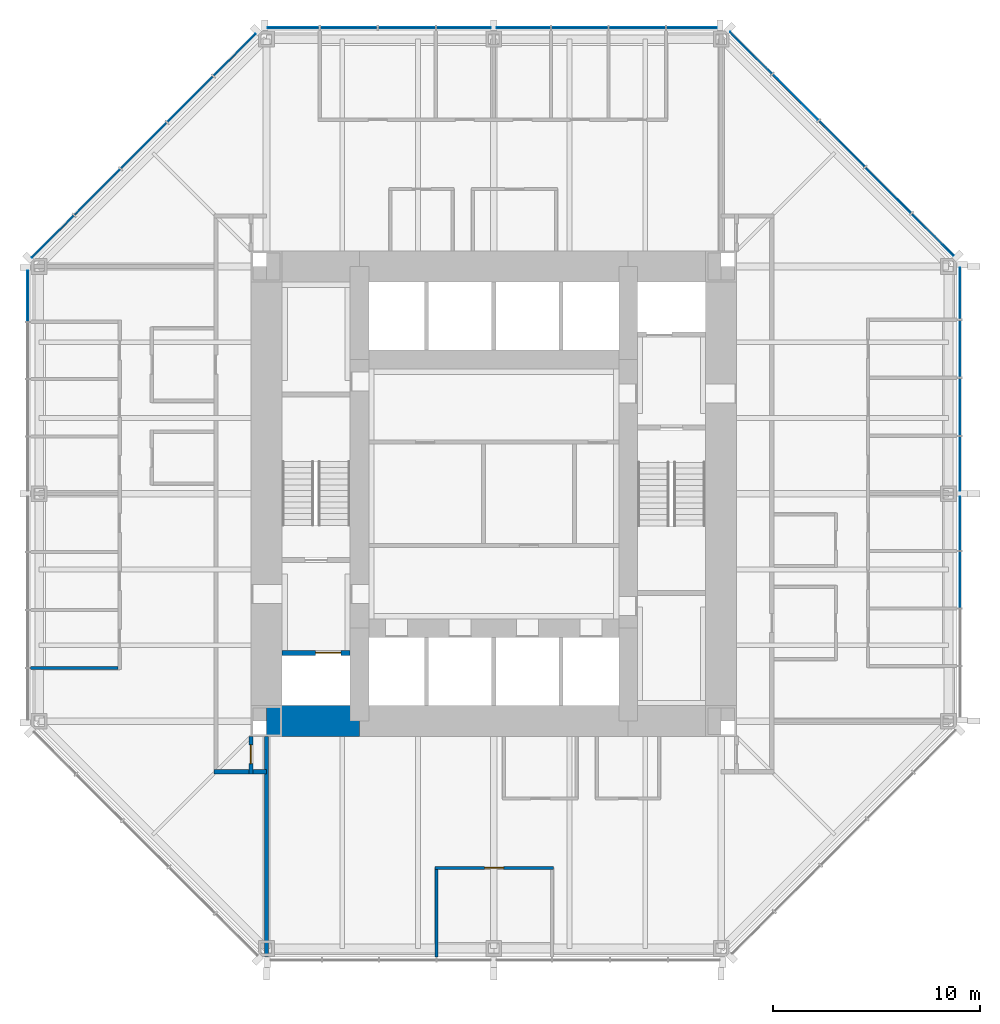
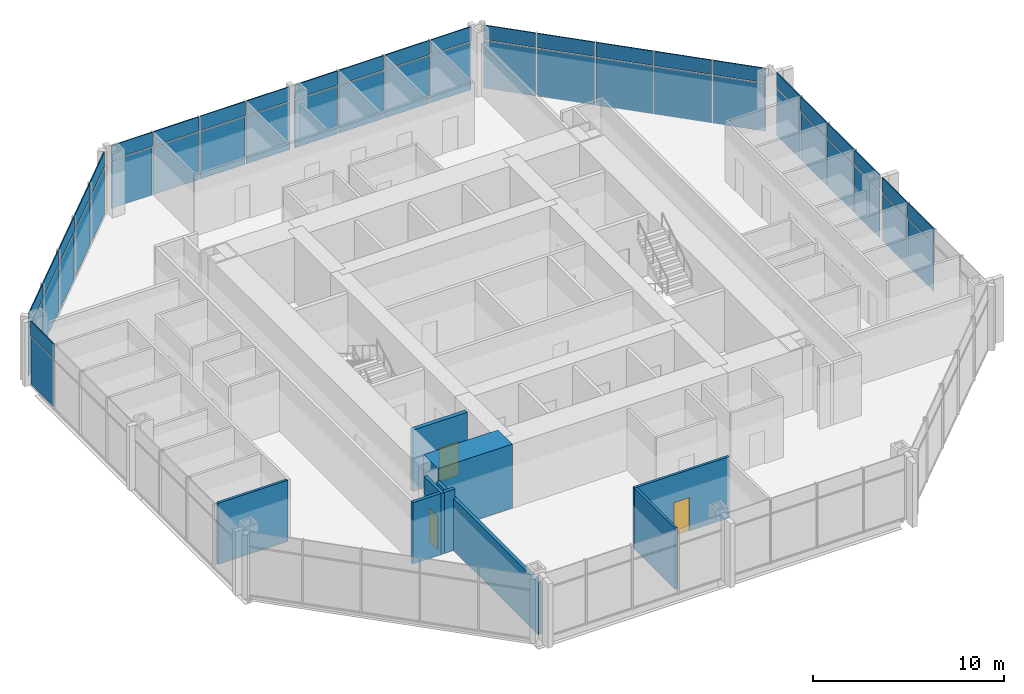
# One storey, part 8 of 14: 50 plates, 8 walls, 3 doors, 3 openings, 5 elements without a shape of their own.
"""IFC4 building model written with IfcOpenShell, lengths in metres."""

from ifc_helpers import new_model, si_unit, direction, frame, frame_2d, origin, origin_2d, place, context, subcontext, project, spatial, rectangle, extrude, material, layer, layer_set, type_object, element, fill, aggregate, save


model = new_model("IFC4")

# Units and contexts
model_context = context("Model", 3, precision=1e-05, world=origin(), true_north=direction((0.0, 1.0)))
body_context = subcontext(model_context, "Body", "Model", "MODEL_VIEW")
ifc_project = project(units=[si_unit("LENGTHUNIT", "METRE"), si_unit("AREAUNIT", "SQUARE_METRE"), si_unit("VOLUMEUNIT", "CUBIC_METRE"), si_unit("PLANEANGLEUNIT", "RADIAN"), si_unit("MASSUNIT", "GRAM", prefix="KILO")], contexts=[model_context])

# Site, building, storey
site_placement = place(None, origin())
site = spatial("IfcSite", under=ifc_project, at=site_placement, CompositionType="ELEMENT")
building_placement = place(site_placement, origin())
building = spatial("IfcBuilding", under=site, at=building_placement, Name="Trevanion Tower", CompositionType="ELEMENT")
storey_placement = place(building_placement, frame((0.0, 0.0, 109.0)))
storey = spatial("IfcBuildingStorey", under=building, at=storey_placement, Name="L25", CompositionType="ELEMENT", Elevation=109.0)

# Curtain wall, plates
ifc_material_1 = material(Name="Aluminium and glass", Category="aluminium")
curtain_wall_type = type_object("IfcCurtainWallType", Name="CW2 curtain wall", PredefinedType="USERDEFINED", material=ifc_material_1)
curtain_wall_1_placement = place(storey_placement, origin())
curtain_wall_1 = element("IfcCurtainWall", 1, at=curtain_wall_1_placement, inside=storey, type_object=curtain_wall_type, Name="CW2 L25 0", ObjectType="UNITISED CURTAIN WALL", PredefinedType="USERDEFINED")
ifc_material_2 = material(Name="Aluminium spandrel panel", Category="aluminium")
ifc_layer_1 = layer(ifc_material_2, 0.06005859375)
ifc_layer_set_1 = layer_set([ifc_layer_1], Name="CW2 spandrel panel")
plate_type_1 = type_object("IfcPlateType", Name="CW2 spandrel panel", PredefinedType="CURTAIN_PANEL", material=ifc_layer_set_1)
plate_1_placement = place(storey_placement, frame((22.550048828125, -4.16162109375, 2.997314453125), z_axis=(0.0, 0.0, 1.0), x_axis=(0.0, 1.0, 0.0)))
plate_1 = element("IfcPlate", 2, at=plate_1_placement, type_object=plate_type_1, Name="CW2 panel 3.2", PredefinedType="CURTAIN_PANEL", context=body_context, shape_type="SweptSolid", body=[
    extrude(rectangle(XDim=2.699462890625, YDim=0.06005859375, at=origin_2d()), origin(), (0.0, 0.0, 1.0), 0.91259765625),
])
plate_2_placement = place(storey_placement, frame((22.550048828125, -1.443603515625, 2.997314453125), z_axis=(0.0, 0.0, 1.0), x_axis=(0.0, 1.0, 0.0)))
plate_2 = element("IfcPlate", 3, at=plate_2_placement, type_object=plate_type_1, Name="CW2 panel 4.2", PredefinedType="CURTAIN_PANEL", context=body_context, shape_type="SweptSolid", body=[
    extrude(rectangle(XDim=2.5869140625, YDim=0.06005859375, at=origin_2d()), origin(), (0.0, 0.0, 1.0), 0.91259765625),
])
plate_3_placement = place(storey_placement, frame((22.550048828125, 1.459716796875, 2.997314453125), z_axis=(0.0, 0.0, 1.0), x_axis=(0.0, 1.0, 0.0)))
plate_3 = element("IfcPlate", 4, at=plate_3_placement, type_object=plate_type_1, Name="CW2 panel 5.2", PredefinedType="CURTAIN_PANEL", context=body_context, shape_type="SweptSolid", body=[
    extrude(rectangle(XDim=2.619384765625, YDim=0.06005859375, at=origin_2d()), origin(), (0.0, 0.0, 1.0), 0.91259765625),
])
plate_4_placement = place(storey_placement, frame((22.550048828125, 4.21044921875, 2.997314453125), z_axis=(0.0, 0.0, 1.0), x_axis=(0.0, 1.0, 0.0)))
plate_4 = element("IfcPlate", 5, at=plate_4_placement, type_object=plate_type_1, Name="CW2 panel 6.2", PredefinedType="CURTAIN_PANEL", context=body_context, shape_type="SweptSolid", body=[
    extrude(rectangle(XDim=2.73193359375, YDim=0.06005859375, at=origin_2d()), origin(), (0.0, 0.0, 1.0), 0.91259765625),
])
plate_5_placement = place(storey_placement, frame((22.550048828125, 7.017333984375, 2.997314453125), z_axis=(0.0, 0.0, 1.0), x_axis=(0.0, 1.0, 0.0)))
plate_5 = element("IfcPlate", 6, at=plate_5_placement, type_object=plate_type_1, Name="CW2 panel 7.2", PredefinedType="CURTAIN_PANEL", context=body_context, shape_type="SweptSolid", body=[
    extrude(rectangle(XDim=2.73193359375, YDim=0.06005859375, at=origin_2d()), origin(), (0.0, 0.0, 1.0), 0.91259765625),
])
plate_6_placement = place(storey_placement, frame((22.550048828125, 9.693115234375, 2.997314453125), z_axis=(0.0, 0.0, 1.0), x_axis=(0.0, 1.0, 0.0)))
plate_6 = element("IfcPlate", 7, at=plate_6_placement, type_object=plate_type_1, Name="CW2 panel 8.2", PredefinedType="CURTAIN_PANEL", context=body_context, shape_type="SweptSolid", body=[
    extrude(rectangle(XDim=2.469482421875, YDim=0.06005859375, at=origin_2d()), origin(), (0.0, 0.0, 1.0), 0.91259765625),
])

curtain_wall_2_placement = place(storey_placement, origin())
curtain_wall_2 = element("IfcCurtainWall", 8, at=curtain_wall_2_placement, inside=storey, type_object=curtain_wall_type, Name="CW2 L25 1", ObjectType="UNITISED CURTAIN WALL", PredefinedType="USERDEFINED")
plate_7_placement = place(storey_placement, frame((21.2421875, 12.53564453125, 2.997314453125), z_axis=(0.0, 0.0, 1.0), x_axis=(-0.707106781187, 0.707106781187, 0.0)))
plate_7 = element("IfcPlate", 9, at=plate_7_placement, type_object=plate_type_1, Name="CW2 panel 1.2", PredefinedType="CURTAIN_PANEL", context=body_context, shape_type="SweptSolid", body=[
    extrude(rectangle(XDim=2.8388671875, YDim=0.06005859375, at=origin_2d()), origin(), (0.0, 0.0, 1.0), 0.91259765625),
])
plate_8_placement = place(storey_placement, frame((19.089111328125, 14.688720703125, 2.997314453125), z_axis=(0.0, 0.0, 1.0), x_axis=(-0.707106781187, 0.707106781187, 0.0)))
plate_8 = element("IfcPlate", 10, at=plate_8_placement, type_object=plate_type_1, Name="CW2 panel 2.2", PredefinedType="CURTAIN_PANEL", context=body_context, shape_type="SweptSolid", body=[
    extrude(rectangle(XDim=3.101318359375, YDim=0.06005859375, at=origin_2d()), origin(), (0.0, 0.0, 1.0), 0.91259765625),
])
plate_9_placement = place(storey_placement, frame((16.843017578125, 16.934814453125, 2.997314453125), z_axis=(0.0, 0.0, 1.0), x_axis=(-0.707106781187, 0.707106781187, 0.0)))
plate_9 = element("IfcPlate", 11, at=plate_9_placement, type_object=plate_type_1, Name="CW2 panel 3.2", PredefinedType="CURTAIN_PANEL", context=body_context, shape_type="SweptSolid", body=[
    extrude(rectangle(XDim=3.101318359375, YDim=0.06005859375, at=origin_2d()), origin(), (0.0, 0.0, 1.0), 0.91259765625),
])
plate_10_placement = place(storey_placement, frame((14.596923828125, 19.180908203125, 2.997314453125), z_axis=(0.0, 0.0, 1.0), x_axis=(-0.707106781187, 0.707106781187, 0.0)))
plate_10 = element("IfcPlate", 12, at=plate_10_placement, type_object=plate_type_1, Name="CW2 panel 4.2", PredefinedType="CURTAIN_PANEL", context=body_context, shape_type="SweptSolid", body=[
    extrude(rectangle(XDim=3.101318359375, YDim=0.06005859375, at=origin_2d()), origin(), (0.0, 0.0, 1.0), 0.91259765625),
])
plate_11_placement = place(storey_placement, frame((12.443603515625, 21.334228515625, 2.997314453125), z_axis=(0.0, 0.0, 1.0), x_axis=(-0.707106781187, 0.707106781187, 0.0)))
plate_11 = element("IfcPlate", 13, at=plate_11_placement, type_object=plate_type_1, Name="CW2 panel 5.2", PredefinedType="CURTAIN_PANEL", context=body_context, shape_type="SweptSolid", body=[
    extrude(rectangle(XDim=2.8388671875, YDim=0.06005859375, at=origin_2d()), origin(), (0.0, 0.0, 1.0), 0.91259765625),
])

curtain_wall_3_placement = place(storey_placement, origin())
curtain_wall_3 = element("IfcCurtainWall", 14, at=curtain_wall_3_placement, inside=storey, type_object=curtain_wall_type, Name="CW2 L25 2", ObjectType="UNITISED CURTAIN WALL", PredefinedType="USERDEFINED")
plate_12_placement = place(storey_placement, frame((9.579345703125, 22.550048828125, 2.997314453125), z_axis=(0.0, 0.0, 1.0), x_axis=(-1.0, 0.0, 0.0)))
plate_12 = element("IfcPlate", 15, at=plate_12_placement, type_object=plate_type_1, Name="CW2 panel 1.2", PredefinedType="CURTAIN_PANEL", context=body_context, shape_type="SweptSolid", body=[
    extrude(rectangle(XDim=2.43701171875, YDim=0.06005859375, at=origin_2d()), origin(), (0.0, 0.0, 1.0), 0.91259765625),
])
plate_13_placement = place(storey_placement, frame((6.93603515625, 22.550048828125, 2.997314453125), z_axis=(0.0, 0.0, 1.0), x_axis=(-1.0, 0.0, 0.0)))
plate_13 = element("IfcPlate", 16, at=plate_13_placement, type_object=plate_type_1, Name="CW2 panel 2.2", PredefinedType="CURTAIN_PANEL", context=body_context, shape_type="SweptSolid", body=[
    extrude(rectangle(XDim=2.699462890625, YDim=0.06005859375, at=origin_2d()), origin(), (0.0, 0.0, 1.0), 0.91259765625),
])
plate_14_placement = place(storey_placement, frame((4.16162109375, 22.550048828125, 2.997314453125), z_axis=(0.0, 0.0, 1.0), x_axis=(-1.0, 0.0, 0.0)))
plate_14 = element("IfcPlate", 17, at=plate_14_placement, type_object=plate_type_1, Name="CW2 panel 3.2", PredefinedType="CURTAIN_PANEL", context=body_context, shape_type="SweptSolid", body=[
    extrude(rectangle(XDim=2.699462890625, YDim=0.06005859375, at=origin_2d()), origin(), (0.0, 0.0, 1.0), 0.91259765625),
])
plate_15_placement = place(storey_placement, frame((1.443603515625, 22.550048828125, 2.997314453125), z_axis=(0.0, 0.0, 1.0), x_axis=(-1.0, 0.0, 0.0)))
plate_15 = element("IfcPlate", 18, at=plate_15_placement, type_object=plate_type_1, Name="CW2 panel 4.2", PredefinedType="CURTAIN_PANEL", context=body_context, shape_type="SweptSolid", body=[
    extrude(rectangle(XDim=2.5869140625, YDim=0.06005859375, at=origin_2d()), origin(), (0.0, 0.0, 1.0), 0.91259765625),
])
plate_16_placement = place(storey_placement, frame((-1.459716796875, 22.550048828125, 2.997314453125), z_axis=(0.0, 0.0, 1.0), x_axis=(-1.0, 0.0, 0.0)))
plate_16 = element("IfcPlate", 19, at=plate_16_placement, type_object=plate_type_1, Name="CW2 panel 5.2", PredefinedType="CURTAIN_PANEL", context=body_context, shape_type="SweptSolid", body=[
    extrude(rectangle(XDim=2.619384765625, YDim=0.06005859375, at=origin_2d()), origin(), (0.0, 0.0, 1.0), 0.91259765625),
])
plate_17_placement = place(storey_placement, frame((-4.21044921875, 22.550048828125, 2.997314453125), z_axis=(0.0, 0.0, 1.0), x_axis=(-1.0, 0.0, 0.0)))
plate_17 = element("IfcPlate", 20, at=plate_17_placement, type_object=plate_type_1, Name="CW2 panel 6.2", PredefinedType="CURTAIN_PANEL", context=body_context, shape_type="SweptSolid", body=[
    extrude(rectangle(XDim=2.73193359375, YDim=0.06005859375, at=origin_2d()), origin(), (0.0, 0.0, 1.0), 0.91259765625),
])
plate_18_placement = place(storey_placement, frame((-7.017333984375, 22.550048828125, 2.997314453125), z_axis=(0.0, 0.0, 1.0), x_axis=(-1.0, 0.0, 0.0)))
plate_18 = element("IfcPlate", 21, at=plate_18_placement, type_object=plate_type_1, Name="CW2 panel 7.2", PredefinedType="CURTAIN_PANEL", context=body_context, shape_type="SweptSolid", body=[
    extrude(rectangle(XDim=2.73193359375, YDim=0.06005859375, at=origin_2d()), origin(), (0.0, 0.0, 1.0), 0.91259765625),
])
plate_19_placement = place(storey_placement, frame((-9.693115234375, 22.550048828125, 2.997314453125), z_axis=(0.0, 0.0, 1.0), x_axis=(-1.0, 0.0, 0.0)))
plate_19 = element("IfcPlate", 22, at=plate_19_placement, type_object=plate_type_1, Name="CW2 panel 8.2", PredefinedType="CURTAIN_PANEL", context=body_context, shape_type="SweptSolid", body=[
    extrude(rectangle(XDim=2.469482421875, YDim=0.06005859375, at=origin_2d()), origin(), (0.0, 0.0, 1.0), 0.91259765625),
])

curtain_wall_4_placement = place(storey_placement, origin())
curtain_wall_4 = element("IfcCurtainWall", 23, at=curtain_wall_4_placement, inside=storey, type_object=curtain_wall_type, Name="CW2 L25 3", ObjectType="UNITISED CURTAIN WALL", PredefinedType="USERDEFINED")
plate_20_placement = place(storey_placement, frame((-12.53564453125, 21.2421875, 2.997314453125), z_axis=(0.0, 0.0, 1.0), x_axis=(-0.707106781187, -0.707106781187, 0.0)))
plate_20 = element("IfcPlate", 24, at=plate_20_placement, type_object=plate_type_1, Name="CW2 panel 1.2", PredefinedType="CURTAIN_PANEL", context=body_context, shape_type="SweptSolid", body=[
    extrude(rectangle(XDim=2.8388671875, YDim=0.06005859375, at=origin_2d()), origin(), (0.0, 0.0, 1.0), 0.91259765625),
])
plate_21_placement = place(storey_placement, frame((-14.688720703125, 19.089111328125, 2.997314453125), z_axis=(0.0, 0.0, 1.0), x_axis=(-0.707106781187, -0.707106781187, 0.0)))
plate_21 = element("IfcPlate", 25, at=plate_21_placement, type_object=plate_type_1, Name="CW2 panel 2.2", PredefinedType="CURTAIN_PANEL", context=body_context, shape_type="SweptSolid", body=[
    extrude(rectangle(XDim=3.101318359375, YDim=0.06005859375, at=origin_2d()), origin(), (0.0, 0.0, 1.0), 0.91259765625),
])
plate_22_placement = place(storey_placement, frame((-16.934814453125, 16.843017578125, 2.997314453125), z_axis=(0.0, 0.0, 1.0), x_axis=(-0.707106781187, -0.707106781187, 0.0)))
plate_22 = element("IfcPlate", 26, at=plate_22_placement, type_object=plate_type_1, Name="CW2 panel 3.2", PredefinedType="CURTAIN_PANEL", context=body_context, shape_type="SweptSolid", body=[
    extrude(rectangle(XDim=3.101318359375, YDim=0.06005859375, at=origin_2d()), origin(), (0.0, 0.0, 1.0), 0.91259765625),
])
plate_23_placement = place(storey_placement, frame((-19.180908203125, 14.596923828125, 2.997314453125), z_axis=(0.0, 0.0, 1.0), x_axis=(-0.707106781187, -0.707106781187, 0.0)))
plate_23 = element("IfcPlate", 27, at=plate_23_placement, type_object=plate_type_1, Name="CW2 panel 4.2", PredefinedType="CURTAIN_PANEL", context=body_context, shape_type="SweptSolid", body=[
    extrude(rectangle(XDim=3.101318359375, YDim=0.06005859375, at=origin_2d()), origin(), (0.0, 0.0, 1.0), 0.91259765625),
])
plate_24_placement = place(storey_placement, frame((-21.334228515625, 12.443603515625, 2.997314453125), z_axis=(0.0, 0.0, 1.0), x_axis=(-0.707106781187, -0.707106781187, 0.0)))
plate_24 = element("IfcPlate", 28, at=plate_24_placement, type_object=plate_type_1, Name="CW2 panel 5.2", PredefinedType="CURTAIN_PANEL", context=body_context, shape_type="SweptSolid", body=[
    extrude(rectangle(XDim=2.8388671875, YDim=0.06005859375, at=origin_2d()), origin(), (0.0, 0.0, 1.0), 0.91259765625),
])

# Curtain wall, plate
curtain_wall_5_placement = place(storey_placement, origin())
curtain_wall_5 = element("IfcCurtainWall", 29, at=curtain_wall_5_placement, inside=storey, type_object=curtain_wall_type, Name="CW2 L25 4", ObjectType="UNITISED CURTAIN WALL", PredefinedType="USERDEFINED")
plate_25_placement = place(storey_placement, frame((-22.550048828125, 9.579345703125, 2.997314453125), z_axis=(0.0, 0.0, 1.0), x_axis=(0.0, -1.0, 0.0)))
plate_25 = element("IfcPlate", 30, at=plate_25_placement, type_object=plate_type_1, Name="CW2 panel 1.2", PredefinedType="CURTAIN_PANEL", context=body_context, shape_type="SweptSolid", body=[
    extrude(rectangle(XDim=2.43701171875, YDim=0.06005859375, at=origin_2d()), origin(), (0.0, 0.0, 1.0), 0.91259765625),
])

# Plate
ifc_material_3 = material(Name="Insulating glass unit", Category="glass")
ifc_layer_2 = layer(ifc_material_3, 0.028076171875)
ifc_layer_set_2 = layer_set([ifc_layer_2], Name="CW2 vision panel")
plate_type_2 = type_object("IfcPlateType", Name="CW2 vision panel", PredefinedType="CURTAIN_PANEL", material=ifc_layer_set_2)
plate_26_placement = place(storey_placement, frame((22.550048828125, -4.16162109375, -0.114990234375), z_axis=(0.0, 0.0, 1.0), x_axis=(0.0, 1.0, 0.0)))
plate_26 = element("IfcPlate", 31, at=plate_26_placement, type_object=plate_type_2, Name="CW2 panel 3.1", PredefinedType="CURTAIN_PANEL", context=body_context, shape_type="SweptSolid", body=[
    extrude(rectangle(XDim=2.699462890625, YDim=0.028076171875, at=origin_2d()), origin(), (0.0, 0.0, 1.0), 3.03759765625),
])

plate_27_placement = place(storey_placement, frame((22.550048828125, -1.443603515625, -0.114990234375), z_axis=(0.0, 0.0, 1.0), x_axis=(0.0, 1.0, 0.0)))
plate_27 = element("IfcPlate", 32, at=plate_27_placement, type_object=plate_type_2, Name="CW2 panel 4.1", PredefinedType="CURTAIN_PANEL", context=body_context, shape_type="SweptSolid", body=[
    extrude(rectangle(XDim=2.5869140625, YDim=0.028076171875, at=origin_2d()), origin(), (0.0, 0.0, 1.0), 3.03759765625),
])

plate_28_placement = place(storey_placement, frame((22.550048828125, 1.459716796875, -0.114990234375), z_axis=(0.0, 0.0, 1.0), x_axis=(0.0, 1.0, 0.0)))
plate_28 = element("IfcPlate", 33, at=plate_28_placement, type_object=plate_type_2, Name="CW2 panel 5.1", PredefinedType="CURTAIN_PANEL", context=body_context, shape_type="SweptSolid", body=[
    extrude(rectangle(XDim=2.619384765625, YDim=0.028076171875, at=origin_2d()), origin(), (0.0, 0.0, 1.0), 3.03759765625),
])

plate_29_placement = place(storey_placement, frame((22.550048828125, 4.21044921875, -0.114990234375), z_axis=(0.0, 0.0, 1.0), x_axis=(0.0, 1.0, 0.0)))
plate_29 = element("IfcPlate", 34, at=plate_29_placement, type_object=plate_type_2, Name="CW2 panel 6.1", PredefinedType="CURTAIN_PANEL", context=body_context, shape_type="SweptSolid", body=[
    extrude(rectangle(XDim=2.73193359375, YDim=0.028076171875, at=origin_2d()), origin(), (0.0, 0.0, 1.0), 3.03759765625),
])

plate_30_placement = place(storey_placement, frame((22.550048828125, 7.017333984375, -0.114990234375), z_axis=(0.0, 0.0, 1.0), x_axis=(0.0, 1.0, 0.0)))
plate_30 = element("IfcPlate", 35, at=plate_30_placement, type_object=plate_type_2, Name="CW2 panel 7.1", PredefinedType="CURTAIN_PANEL", context=body_context, shape_type="SweptSolid", body=[
    extrude(rectangle(XDim=2.73193359375, YDim=0.028076171875, at=origin_2d()), origin(), (0.0, 0.0, 1.0), 3.03759765625),
])

plate_31_placement = place(storey_placement, frame((22.550048828125, 9.693115234375, -0.114990234375), z_axis=(0.0, 0.0, 1.0), x_axis=(0.0, 1.0, 0.0)))
plate_31 = element("IfcPlate", 36, at=plate_31_placement, type_object=plate_type_2, Name="CW2 panel 8.1", PredefinedType="CURTAIN_PANEL", context=body_context, shape_type="SweptSolid", body=[
    extrude(rectangle(XDim=2.469482421875, YDim=0.028076171875, at=origin_2d()), origin(), (0.0, 0.0, 1.0), 3.03759765625),
])

aggregate(curtain_wall_1, [plate_26, plate_1, plate_27, plate_2, plate_28, plate_3, plate_29, plate_4, plate_30, plate_5, plate_31, plate_6])

plate_32_placement = place(storey_placement, frame((21.2421875, 12.53564453125, -0.114990234375), z_axis=(0.0, 0.0, 1.0), x_axis=(-0.707106781187, 0.707106781187, 0.0)))
plate_32 = element("IfcPlate", 37, at=plate_32_placement, type_object=plate_type_2, Name="CW2 panel 1.1", PredefinedType="CURTAIN_PANEL", context=body_context, shape_type="SweptSolid", body=[
    extrude(rectangle(XDim=2.8388671875, YDim=0.028076171875, at=origin_2d()), origin(), (0.0, 0.0, 1.0), 3.03759765625),
])

plate_33_placement = place(storey_placement, frame((19.089111328125, 14.688720703125, -0.114990234375), z_axis=(0.0, 0.0, 1.0), x_axis=(-0.707106781187, 0.707106781187, 0.0)))
plate_33 = element("IfcPlate", 38, at=plate_33_placement, type_object=plate_type_2, Name="CW2 panel 2.1", PredefinedType="CURTAIN_PANEL", context=body_context, shape_type="SweptSolid", body=[
    extrude(rectangle(XDim=3.101318359375, YDim=0.028076171875, at=origin_2d()), origin(), (0.0, 0.0, 1.0), 3.03759765625),
])

plate_34_placement = place(storey_placement, frame((16.843017578125, 16.934814453125, -0.114990234375), z_axis=(0.0, 0.0, 1.0), x_axis=(-0.707106781187, 0.707106781187, 0.0)))
plate_34 = element("IfcPlate", 39, at=plate_34_placement, type_object=plate_type_2, Name="CW2 panel 3.1", PredefinedType="CURTAIN_PANEL", context=body_context, shape_type="SweptSolid", body=[
    extrude(rectangle(XDim=3.101318359375, YDim=0.028076171875, at=origin_2d()), origin(), (0.0, 0.0, 1.0), 3.03759765625),
])

plate_35_placement = place(storey_placement, frame((14.596923828125, 19.180908203125, -0.114990234375), z_axis=(0.0, 0.0, 1.0), x_axis=(-0.707106781187, 0.707106781187, 0.0)))
plate_35 = element("IfcPlate", 40, at=plate_35_placement, type_object=plate_type_2, Name="CW2 panel 4.1", PredefinedType="CURTAIN_PANEL", context=body_context, shape_type="SweptSolid", body=[
    extrude(rectangle(XDim=3.101318359375, YDim=0.028076171875, at=origin_2d()), origin(), (0.0, 0.0, 1.0), 3.03759765625),
])

plate_36_placement = place(storey_placement, frame((12.443603515625, 21.334228515625, -0.114990234375), z_axis=(0.0, 0.0, 1.0), x_axis=(-0.707106781187, 0.707106781187, 0.0)))
plate_36 = element("IfcPlate", 41, at=plate_36_placement, type_object=plate_type_2, Name="CW2 panel 5.1", PredefinedType="CURTAIN_PANEL", context=body_context, shape_type="SweptSolid", body=[
    extrude(rectangle(XDim=2.8388671875, YDim=0.028076171875, at=origin_2d()), origin(), (0.0, 0.0, 1.0), 3.03759765625),
])

aggregate(curtain_wall_2, [plate_32, plate_7, plate_33, plate_8, plate_34, plate_9, plate_35, plate_10, plate_36, plate_11])

plate_37_placement = place(storey_placement, frame((9.579345703125, 22.550048828125, -0.114990234375), z_axis=(0.0, 0.0, 1.0), x_axis=(-1.0, 0.0, 0.0)))
plate_37 = element("IfcPlate", 42, at=plate_37_placement, type_object=plate_type_2, Name="CW2 panel 1.1", PredefinedType="CURTAIN_PANEL", context=body_context, shape_type="SweptSolid", body=[
    extrude(rectangle(XDim=2.43701171875, YDim=0.028076171875, at=origin_2d()), origin(), (0.0, 0.0, 1.0), 3.03759765625),
])

plate_38_placement = place(storey_placement, frame((6.93603515625, 22.550048828125, -0.114990234375), z_axis=(0.0, 0.0, 1.0), x_axis=(-1.0, 0.0, 0.0)))
plate_38 = element("IfcPlate", 43, at=plate_38_placement, type_object=plate_type_2, Name="CW2 panel 2.1", PredefinedType="CURTAIN_PANEL", context=body_context, shape_type="SweptSolid", body=[
    extrude(rectangle(XDim=2.699462890625, YDim=0.028076171875, at=origin_2d()), origin(), (0.0, 0.0, 1.0), 3.03759765625),
])

plate_39_placement = place(storey_placement, frame((4.16162109375, 22.550048828125, -0.114990234375), z_axis=(0.0, 0.0, 1.0), x_axis=(-1.0, 0.0, 0.0)))
plate_39 = element("IfcPlate", 44, at=plate_39_placement, type_object=plate_type_2, Name="CW2 panel 3.1", PredefinedType="CURTAIN_PANEL", context=body_context, shape_type="SweptSolid", body=[
    extrude(rectangle(XDim=2.699462890625, YDim=0.028076171875, at=origin_2d()), origin(), (0.0, 0.0, 1.0), 3.03759765625),
])

plate_40_placement = place(storey_placement, frame((1.443603515625, 22.550048828125, -0.114990234375), z_axis=(0.0, 0.0, 1.0), x_axis=(-1.0, 0.0, 0.0)))
plate_40 = element("IfcPlate", 45, at=plate_40_placement, type_object=plate_type_2, Name="CW2 panel 4.1", PredefinedType="CURTAIN_PANEL", context=body_context, shape_type="SweptSolid", body=[
    extrude(rectangle(XDim=2.5869140625, YDim=0.028076171875, at=origin_2d()), origin(), (0.0, 0.0, 1.0), 3.03759765625),
])

plate_41_placement = place(storey_placement, frame((-1.459716796875, 22.550048828125, -0.114990234375), z_axis=(0.0, 0.0, 1.0), x_axis=(-1.0, 0.0, 0.0)))
plate_41 = element("IfcPlate", 46, at=plate_41_placement, type_object=plate_type_2, Name="CW2 panel 5.1", PredefinedType="CURTAIN_PANEL", context=body_context, shape_type="SweptSolid", body=[
    extrude(rectangle(XDim=2.619384765625, YDim=0.028076171875, at=origin_2d()), origin(), (0.0, 0.0, 1.0), 3.03759765625),
])

plate_42_placement = place(storey_placement, frame((-4.21044921875, 22.550048828125, -0.114990234375), z_axis=(0.0, 0.0, 1.0), x_axis=(-1.0, 0.0, 0.0)))
plate_42 = element("IfcPlate", 47, at=plate_42_placement, type_object=plate_type_2, Name="CW2 panel 6.1", PredefinedType="CURTAIN_PANEL", context=body_context, shape_type="SweptSolid", body=[
    extrude(rectangle(XDim=2.73193359375, YDim=0.028076171875, at=origin_2d()), origin(), (0.0, 0.0, 1.0), 3.03759765625),
])

plate_43_placement = place(storey_placement, frame((-7.017333984375, 22.550048828125, -0.114990234375), z_axis=(0.0, 0.0, 1.0), x_axis=(-1.0, 0.0, 0.0)))
plate_43 = element("IfcPlate", 48, at=plate_43_placement, type_object=plate_type_2, Name="CW2 panel 7.1", PredefinedType="CURTAIN_PANEL", context=body_context, shape_type="SweptSolid", body=[
    extrude(rectangle(XDim=2.73193359375, YDim=0.028076171875, at=origin_2d()), origin(), (0.0, 0.0, 1.0), 3.03759765625),
])

plate_44_placement = place(storey_placement, frame((-9.693115234375, 22.550048828125, -0.114990234375), z_axis=(0.0, 0.0, 1.0), x_axis=(-1.0, 0.0, 0.0)))
plate_44 = element("IfcPlate", 49, at=plate_44_placement, type_object=plate_type_2, Name="CW2 panel 8.1", PredefinedType="CURTAIN_PANEL", context=body_context, shape_type="SweptSolid", body=[
    extrude(rectangle(XDim=2.469482421875, YDim=0.028076171875, at=origin_2d()), origin(), (0.0, 0.0, 1.0), 3.03759765625),
])

aggregate(curtain_wall_3, [plate_37, plate_12, plate_38, plate_13, plate_39, plate_14, plate_40, plate_15, plate_41, plate_16, plate_42, plate_17, plate_43, plate_18, plate_44, plate_19])

plate_45_placement = place(storey_placement, frame((-12.53564453125, 21.2421875, -0.114990234375), z_axis=(0.0, 0.0, 1.0), x_axis=(-0.707106781187, -0.707106781187, 0.0)))
plate_45 = element("IfcPlate", 50, at=plate_45_placement, type_object=plate_type_2, Name="CW2 panel 1.1", PredefinedType="CURTAIN_PANEL", context=body_context, shape_type="SweptSolid", body=[
    extrude(rectangle(XDim=2.8388671875, YDim=0.028076171875, at=origin_2d()), origin(), (0.0, 0.0, 1.0), 3.03759765625),
])

plate_46_placement = place(storey_placement, frame((-14.688720703125, 19.089111328125, -0.114990234375), z_axis=(0.0, 0.0, 1.0), x_axis=(-0.707106781187, -0.707106781187, 0.0)))
plate_46 = element("IfcPlate", 51, at=plate_46_placement, type_object=plate_type_2, Name="CW2 panel 2.1", PredefinedType="CURTAIN_PANEL", context=body_context, shape_type="SweptSolid", body=[
    extrude(rectangle(XDim=3.101318359375, YDim=0.028076171875, at=origin_2d()), origin(), (0.0, 0.0, 1.0), 3.03759765625),
])

plate_47_placement = place(storey_placement, frame((-16.934814453125, 16.843017578125, -0.114990234375), z_axis=(0.0, 0.0, 1.0), x_axis=(-0.707106781187, -0.707106781187, 0.0)))
plate_47 = element("IfcPlate", 52, at=plate_47_placement, type_object=plate_type_2, Name="CW2 panel 3.1", PredefinedType="CURTAIN_PANEL", context=body_context, shape_type="SweptSolid", body=[
    extrude(rectangle(XDim=3.101318359375, YDim=0.028076171875, at=origin_2d()), origin(), (0.0, 0.0, 1.0), 3.03759765625),
])

plate_48_placement = place(storey_placement, frame((-19.180908203125, 14.596923828125, -0.114990234375), z_axis=(0.0, 0.0, 1.0), x_axis=(-0.707106781187, -0.707106781187, 0.0)))
plate_48 = element("IfcPlate", 53, at=plate_48_placement, type_object=plate_type_2, Name="CW2 panel 4.1", PredefinedType="CURTAIN_PANEL", context=body_context, shape_type="SweptSolid", body=[
    extrude(rectangle(XDim=3.101318359375, YDim=0.028076171875, at=origin_2d()), origin(), (0.0, 0.0, 1.0), 3.03759765625),
])

plate_49_placement = place(storey_placement, frame((-21.334228515625, 12.443603515625, -0.114990234375), z_axis=(0.0, 0.0, 1.0), x_axis=(-0.707106781187, -0.707106781187, 0.0)))
plate_49 = element("IfcPlate", 54, at=plate_49_placement, type_object=plate_type_2, Name="CW2 panel 5.1", PredefinedType="CURTAIN_PANEL", context=body_context, shape_type="SweptSolid", body=[
    extrude(rectangle(XDim=2.8388671875, YDim=0.028076171875, at=origin_2d()), origin(), (0.0, 0.0, 1.0), 3.03759765625),
])

aggregate(curtain_wall_4, [plate_45, plate_20, plate_46, plate_21, plate_47, plate_22, plate_48, plate_23, plate_49, plate_24])

plate_50_placement = place(storey_placement, frame((-22.550048828125, 9.579345703125, -0.114990234375), z_axis=(0.0, 0.0, 1.0), x_axis=(0.0, -1.0, 0.0)))
plate_50 = element("IfcPlate", 55, at=plate_50_placement, type_object=plate_type_2, Name="CW2 panel 1.1", PredefinedType="CURTAIN_PANEL", context=body_context, shape_type="SweptSolid", body=[
    extrude(rectangle(XDim=2.43701171875, YDim=0.028076171875, at=origin_2d()), origin(), (0.0, 0.0, 1.0), 3.03759765625),
])

aggregate(curtain_wall_5, [plate_50, plate_25])

# Walls
ifc_material_4 = material(Name="Concrete 10,000 psi", Category="concrete")
ifc_layer_3 = layer(ifc_material_4, 1.5)
ifc_layer_set_3 = layer_set([ifc_layer_3], Name="CW1 core wall 1500")
wall_type_1 = type_object("IfcWallType", Name="CW1 core wall 1500", PredefinedType="SHEAR", material=ifc_layer_set_3)
wall_1_placement = place(storey_placement, frame((-11.0, -11.0, 0.0), z_axis=(0.0, 0.0, 1.0), x_axis=(1.0, 0.0, 0.0)))
element("IfcWall", 56, at=wall_1_placement, inside=storey, type_object=wall_type_1, Name="CW1 CS1 L25", PredefinedType="SHEAR", context=body_context, shape_type="SweptSolid", body=[
    extrude(rectangle(XDim=4.5, YDim=1.5, at=frame_2d((2.25, 0.0))), origin(), (0.0, 0.0, 1.0), 4.10009765625),
])
ifc_material_5 = material(Name="Gypsum board on steel studs", Category="steel")
ifc_layer_4 = layer(ifc_material_5, 0.14990234375)
ifc_layer_set_4 = layer_set([ifc_layer_4], Name="PT1 partition 150")
wall_type_2 = type_object("IfcWallType", Name="PT1 partition 150", PredefinedType="PARTITIONING", material=ifc_layer_set_4)
wall_2_placement = place(storey_placement, frame((-18.175048828125, -8.4208984375, 0.0), z_axis=(0.0, 0.0, 1.0), x_axis=(-1.0, 0.0, 0.0)))
element("IfcWall", 57, at=wall_2_placement, inside=storey, type_object=wall_type_2, Name="PT1 L25 FC2S6", PredefinedType="PARTITIONING", context=body_context, shape_type="SweptSolid", body=[
    extrude(rectangle(XDim=4.239990234375, YDim=0.14990234375, at=frame_2d((2.1201171875, 0.0))), origin(), (0.0, 0.0, 1.0), 3.909912109375),
])

# Wall, opening, door
wall_3_placement = place(storey_placement, frame((-2.85009765625, -18.10009765625, 0.0), z_axis=(0.0, 0.0, 1.0), x_axis=(1.0, 0.0, 0.0)))
wall_3 = element("IfcWall", 58, at=wall_3_placement, inside=storey, type_object=wall_type_2, Name="PT1 L25 FC3F", PredefinedType="PARTITIONING", context=body_context, shape_type="SweptSolid", body=[
    extrude(rectangle(XDim=5.732177734375, YDim=0.14990234375, at=frame_2d((2.8662109375, 0.0))), origin(), (0.0, 0.0, 1.0), 3.909912109375),
])
opening_1_placement = place(wall_3_placement, frame((2.408447265625, 0.0, 0.0)))
opening_1 = element("IfcOpeningElement", 59, at=opening_1_placement, cuts=wall_3, Name="Opening 25-039", PredefinedType="OPENING", context=body_context, shape_type="SweptSolid", body=[
    extrude(rectangle(XDim=0.9150390625, YDim=2.134033203125, at=frame_2d((0.45751953125, 1.06689453125))), frame((0.0, 0.0849609375, 0.0), z_axis=(0.0, -1.0, 0.0), x_axis=(1.0, 0.0, 0.0)), (0.0, 0.0, 1.0), 0.169921875),
])
ifc_material_6 = material(Name="Timber veneer, solid core", Category="wood")
door_type_1 = type_object("IfcDoorType", Name="D1 office and meeting room door", OperationType="SINGLE_SWING_LEFT", PredefinedType="DOOR", material=ifc_material_6)
door_1_placement = place(opening_1_placement, origin())
door_1 = element("IfcDoor", 60, at=door_1_placement, inside=storey, type_object=door_type_1, Name="Door 25-039", OperationType="SINGLE_SWING_LEFT", OverallHeight=2.134033203125, OverallWidth=0.9150390625, PredefinedType="DOOR", context=body_context, shape_type="SweptSolid", body=[
    extrude(rectangle(XDim=0.9150390625, YDim=2.134033203125, at=frame_2d((0.45751953125, 1.06689453125))), frame((0.0, 0.02490234375, 0.0), z_axis=(0.0, -1.0, 0.0), x_axis=(1.0, 0.0, 0.0)), (0.0, 0.0, 1.0), 0.050048828125),
])
fill(opening_1, door_1)

# Wall
wall_4_placement = place(storey_placement, frame((-2.77490234375, -18.175048828125, 0.0), z_axis=(0.0, 0.0, 1.0), x_axis=(0.0, -1.0, 0.0)))
element("IfcWall", 61, at=wall_4_placement, inside=storey, type_object=wall_type_2, Name="PT1 L25 FC3S0", PredefinedType="PARTITIONING", context=body_context, shape_type="SweptSolid", body=[
    extrude(rectangle(XDim=4.239990234375, YDim=0.14990234375, at=frame_2d((2.1201171875, 0.0))), origin(), (0.0, 0.0, 1.0), 3.909912109375),
])

# Wall, opening, door
ifc_material_7 = material(Name="Concrete masonry, grouted", Category="masonry")
ifc_layer_5 = layer(ifc_material_7, 0.199951171875)
ifc_layer_set_5 = layer_set([ifc_layer_5], Name="PT2 partition 200 1 HR")
wall_type_3 = type_object("IfcWallType", Name="PT2 partition 200 1 HR", PredefinedType="PARTITIONING", material=ifc_layer_set_5)
wall_5_placement = place(storey_placement, frame((-11.75, -11.75, 0.0), z_axis=(0.0, 0.0, 1.0), x_axis=(0.0, -1.0, 0.0)))
wall_5 = element("IfcWall", 62, at=wall_5_placement, inside=storey, type_object=wall_type_3, Name="PT2 L25 OUSW1", PredefinedType="PARTITIONING", context=body_context, shape_type="SweptSolid", body=[
    extrude(rectangle(XDim=1.800048828125, YDim=0.199951171875, at=frame_2d((0.89990234375, 0.0))), origin(), (0.0, 0.0, 1.0), 3.909912109375),
])
opening_2_placement = place(wall_5_placement, frame((0.392578125, 0.0, 0.0)))
opening_2 = element("IfcOpeningElement", 63, at=opening_2_placement, cuts=wall_5, Name="Opening 25-021", PredefinedType="OPENING", context=body_context, shape_type="SweptSolid", body=[
    extrude(rectangle(XDim=0.9150390625, YDim=2.134033203125, at=frame_2d((0.45751953125, 1.06689453125))), frame((0.0, 0.10986328125, 0.0), z_axis=(0.0, -1.0, 0.0), x_axis=(1.0, 0.0, 0.0)), (0.0, 0.0, 1.0), 0.219970703125),
])
ifc_material_8 = material(Name="Timber veneer, fire rated", Category="wood")
door_type_2 = type_object("IfcDoorType", Name="D10 office door in a one hour wall", OperationType="SINGLE_SWING_LEFT", PredefinedType="DOOR", material=ifc_material_8)
door_2_placement = place(opening_2_placement, frame((0.9150390625, 0.0, 0.0), z_axis=(0.0, 0.0, 1.0), x_axis=(-1.0, 0.0, 0.0)))
door_2 = element("IfcDoor", 64, at=door_2_placement, inside=storey, type_object=door_type_2, Name="Door 25-021", OperationType="SINGLE_SWING_LEFT", OverallHeight=2.134033203125, OverallWidth=0.9150390625, PredefinedType="DOOR", context=body_context, shape_type="SweptSolid", body=[
    extrude(rectangle(XDim=0.9150390625, YDim=2.134033203125, at=frame_2d((0.45751953125, 1.06689453125))), frame((0.0, 0.02490234375, 0.0), z_axis=(0.0, -1.0, 0.0), x_axis=(1.0, 0.0, 0.0)), (0.0, 0.0, 1.0), 0.050048828125),
])
fill(opening_2, door_2)

# Walls
wall_6_placement = place(storey_placement, frame((-11.0, -13.449951171875, 0.0), z_axis=(0.0, 0.0, 1.0), x_axis=(-1.0, 0.0, 0.0)))
element("IfcWall", 65, at=wall_6_placement, inside=storey, type_object=wall_type_3, Name="PT2 L25 OUSW2", PredefinedType="PARTITIONING", context=body_context, shape_type="SweptSolid", body=[
    extrude(rectangle(XDim=2.550048828125, YDim=0.199951171875, at=frame_2d((1.27490234375, 0.0))), origin(), (0.0, 0.0, 1.0), 3.909912109375),
])
wall_7_placement = place(storey_placement, frame((-11.0, -11.75, 0.0), z_axis=(0.0, 0.0, 1.0), x_axis=(0.0, -1.0, 0.0)))
element("IfcWall", 66, at=wall_7_placement, inside=storey, type_object=wall_type_3, Name="PT2 L25 DM2", PredefinedType="PARTITIONING", context=body_context, shape_type="SweptSolid", body=[
    extrude(rectangle(XDim=10.6650390625, YDim=0.199951171875, at=frame_2d((5.33251953125, 0.0))), origin(), (0.0, 0.0, 1.0), 3.32568359375),
])

# Wall, opening, door
ifc_material_9 = material(Name="Concrete masonry, grouted, two-hour", Category="masonry")
ifc_layer_6 = layer(ifc_material_9, 0.25)
ifc_layer_set_6 = layer_set([ifc_layer_6], Name="PT3 partition 250 2 HR")
wall_type_4 = type_object("IfcWallType", Name="PT3 partition 250 2 HR", PredefinedType="PARTITIONING", material=ifc_layer_set_6)
wall_8_placement = place(storey_placement, frame((-6.949951171875, -7.699951171875, 0.0), z_axis=(0.0, 0.0, 1.0), x_axis=(-1.0, 0.0, 0.0)))
wall_8 = element("IfcWall", 67, at=wall_8_placement, inside=storey, type_object=wall_type_4, Name="PT3 L25 WP3", PredefinedType="PARTITIONING", context=body_context, shape_type="SweptSolid", body=[
    extrude(rectangle(XDim=3.300048828125, YDim=0.25, at=frame_2d((1.64990234375, 0.0))), origin(), (0.0, 0.0, 1.0), 3.909912109375),
])
opening_3_placement = place(wall_8_placement, frame((0.449951171875, 0.0, 0.0)))
opening_3 = element("IfcOpeningElement", 68, at=opening_3_placement, cuts=wall_8, Name="Opening 25-008", PredefinedType="OPENING", context=body_context, shape_type="SweptSolid", body=[
    extrude(rectangle(XDim=1.218994140625, YDim=2.134033203125, at=frame_2d((0.609375, 1.06689453125))), frame((0.0, 0.135009765625, 0.0), z_axis=(0.0, -1.0, 0.0), x_axis=(1.0, 0.0, 0.0)), (0.0, 0.0, 1.0), 0.27001953125),
])
ifc_material_10 = material(Name="Stainless steel, fire rated", Category="steel")
door_type_3 = type_object("IfcDoorType", Name="LD2 fire service lift landing door", OperationType="SLIDING_TO_LEFT", PredefinedType="DOOR", material=ifc_material_10)
door_3_placement = place(opening_3_placement, origin())
door_3 = element("IfcDoor", 69, at=door_3_placement, inside=storey, type_object=door_type_3, Name="Door 25-008", OperationType="SLIDING_TO_LEFT", OverallHeight=2.134033203125, OverallWidth=1.218994140625, PredefinedType="DOOR", context=body_context, shape_type="SweptSolid", body=[
    extrude(rectangle(XDim=1.218994140625, YDim=2.134033203125, at=frame_2d((0.609375, 1.06689453125))), frame((0.0, 0.02490234375, 0.0), z_axis=(0.0, -1.0, 0.0), x_axis=(1.0, 0.0, 0.0)), (0.0, 0.0, 1.0), 0.050048828125),
])
fill(opening_3, door_3)

save(model, "model.ifc")
